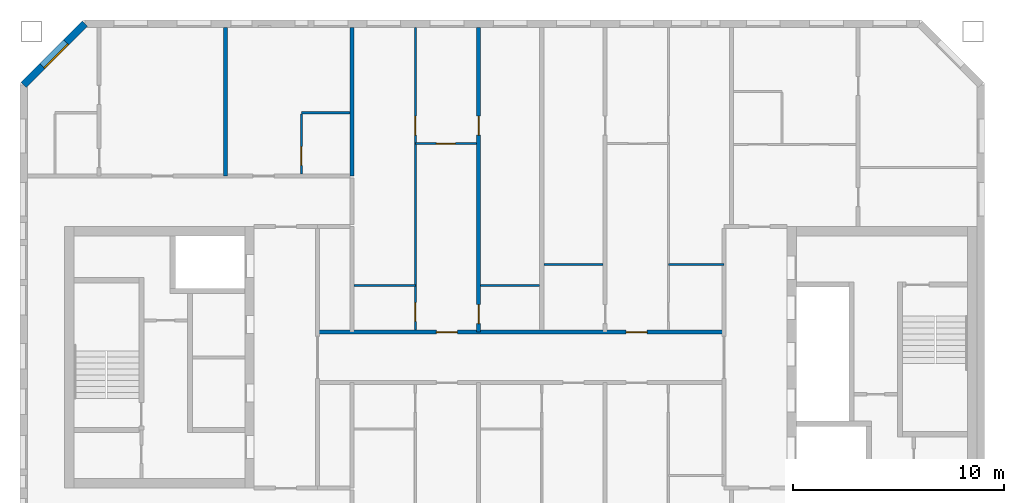
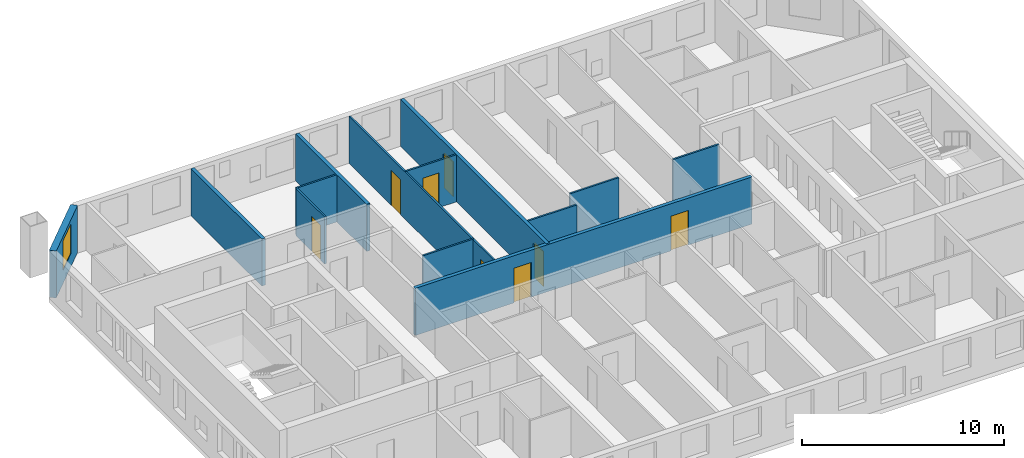
# One storey, part 5 of 16: 13 walls, 8 doors, 1 window, 9 openings.
"""IFC4 building model written with IfcOpenShell, lengths in metres."""

from ifc_helpers import new_model, si_unit, direction, frame, frame_2d, origin, place, context, subcontext, project, spatial, rectangle, extrude, material, layer, layer_set, type_object, element, fill, save


model = new_model("IFC4")

# Units and contexts
model_context = context("Model", 3, precision=1e-05, world=origin(), true_north=direction((0.0, 1.0)))
body_context = subcontext(model_context, "Body", "Model", "MODEL_VIEW")
ifc_project = project(units=[si_unit("LENGTHUNIT", "METRE"), si_unit("AREAUNIT", "SQUARE_METRE"), si_unit("VOLUMEUNIT", "CUBIC_METRE"), si_unit("PLANEANGLEUNIT", "RADIAN"), si_unit("MASSUNIT", "GRAM", prefix="KILO")], contexts=[model_context])

# Site, building, storey
site_placement = place(None, origin())
site = spatial("IfcSite", under=ifc_project, at=site_placement, CompositionType="ELEMENT")
building_placement = place(site_placement, origin())
building = spatial("IfcBuilding", under=site, at=building_placement, Name="Tuart Gate Housing", CompositionType="ELEMENT")
storey_placement = place(building_placement, frame((0.0, 0.0, 182.0)))
storey = spatial("IfcBuildingStorey", under=building, at=storey_placement, Name="L51", CompositionType="ELEMENT", Elevation=182.0)

# Wall, opening, window
ifc_material_1 = material(Name="Brick", Category="masonry")
ifc_layer_1 = layer(ifc_material_1, 0.360107421875)
ifc_layer_set_1 = layer_set([ifc_layer_1], Name="Brick pier and spandrel wall 360")
wall_type_1 = type_object("IfcWallType", Name="Brick pier and spandrel wall 360", PredefinedType="STANDARD", material=ifc_layer_set_1)
wall_1_placement = place(storey_placement, frame((33.32470703125, 85.820068359375, 0.0), z_axis=(0.0, 0.0, 1.0), x_axis=(-0.707106781187, -0.707106781187, 0.0)))
wall_1 = element("IfcWall", 1, at=wall_1_placement, inside=storey, type_object=wall_type_1, Name="External wall A-NW L51", PredefinedType="STANDARD", context=body_context, shape_type="SweptSolid", body=[
    extrude(rectangle(XDim=4.09375, YDim=0.360107421875, at=frame_2d((2.046875, 0.0))), origin(), (0.0, 0.0, 1.0), 2.85009765625),
])
opening_1_placement = place(wall_1_placement, frame((1.2470703125, 0.0, 0.800048828125)))
opening_1 = element("IfcOpeningElement", 2, at=opening_1_placement, cuts=wall_1, Name="Opening W1", PredefinedType="OPENING", context=body_context, shape_type="SweptSolid", body=[
    extrude(rectangle(XDim=1.60009765625, YDim=1.800048828125, at=frame_2d((0.800048828125, 0.89990234375))), frame((0.0, 0.18994140625, 0.0), z_axis=(0.0, -1.0, 0.0), x_axis=(1.0, 0.0, 0.0)), (0.0, 0.0, 1.0), 0.380126953125),
])
ifc_material_2 = material(Name="Aluminium frame with clear glass", Category="aluminium")
window_type = type_object("IfcWindowType", Name="Punched window 1600 x 1800", PartitioningType="SINGLE_PANEL", PredefinedType="WINDOW", material=ifc_material_2)
window_placement = place(opening_1_placement, origin())
window = element("IfcWindow", 3, at=window_placement, inside=storey, type_object=window_type, Name="Window W1", OverallHeight=1.800048828125, OverallWidth=1.60009765625, PartitioningType="SINGLE_PANEL", PredefinedType="WINDOW", context=body_context, shape_type="SweptSolid", body=[
    extrude(rectangle(XDim=1.60009765625, YDim=1.800048828125, at=frame_2d((0.800048828125, 0.89990234375))), frame((0.0, 0.150146484375, 0.0), z_axis=(0.0, -1.0, 0.0), x_axis=(1.0, 0.0, 0.0)), (0.0, 0.0, 1.0), 0.06005859375),
])
fill(opening_1, window)

# Wall, openings, doors
ifc_material_3 = material(Name="Concrete masonry 15 MPa", Category="masonry")
ifc_layer_2 = layer(ifc_material_3, 0.199951171875)
ifc_layer_set_2 = layer_set([ifc_layer_2], Name="Corridor wall masonry 200")
wall_type_2 = type_object("IfcWallType", Name="Corridor wall masonry 200", PredefinedType="PARTITIONING", material=ifc_layer_set_2)
wall_2_placement = place(storey_placement, frame((44.360107421875, 71.199951171875, 0.0), z_axis=(0.0, 0.0, 1.0), x_axis=(1.0, 0.0, 0.0)))
wall_2 = element("IfcWall", 4, at=wall_2_placement, inside=storey, type_object=wall_type_2, Name="Corridor wall masonry 200", PredefinedType="PARTITIONING", context=body_context, shape_type="SweptSolid", body=[
    extrude(rectangle(XDim=19.27978515625, YDim=0.199951171875, at=frame_2d((9.639892578125, 0.0))), origin(), (0.0, 0.0, 1.0), 2.85009765625),
])
opening_2_placement = place(wall_2_placement, frame((14.639892578125, 0.0, 0.0)))
opening_2 = element("IfcOpeningElement", 5, at=opening_2_placement, cuts=wall_2, Name="Opening D1756", PredefinedType="OPENING", context=body_context, shape_type="SweptSolid", body=[
    extrude(rectangle(XDim=1.0, YDim=2.10009765625, at=frame_2d((0.5, 1.050048828125))), frame((0.0, 0.10986328125, 0.0), z_axis=(0.0, -1.0, 0.0), x_axis=(1.0, 0.0, 0.0)), (0.0, 0.0, 1.0), 0.219970703125),
])
opening_3_placement = place(wall_2_placement, frame((5.639892578125, 0.0, 0.0)))
opening_3 = element("IfcOpeningElement", 6, at=opening_3_placement, cuts=wall_2, Name="Opening D1757", PredefinedType="OPENING", context=body_context, shape_type="SweptSolid", body=[
    extrude(rectangle(XDim=1.0, YDim=2.10009765625, at=frame_2d((0.5, 1.050048828125))), frame((0.0, 0.10986328125, 0.0), z_axis=(0.0, -1.0, 0.0), x_axis=(1.0, 0.0, 0.0)), (0.0, 0.0, 1.0), 0.219970703125),
])
ifc_material_4 = material(Name="Timber door leaf in steel frame", Category="steel")
door_type_1 = type_object("IfcDoorType", Name="Flat entrance door 1000", OperationType="SINGLE_SWING_LEFT", PredefinedType="DOOR", material=ifc_material_4)
door_1_placement = place(opening_2_placement, origin())
door_1 = element("IfcDoor", 7, at=door_1_placement, inside=storey, type_object=door_type_1, Name="Flat entrance door", OperationType="SINGLE_SWING_LEFT", OverallHeight=2.10009765625, OverallWidth=1.0, PredefinedType="DOOR", context=body_context, shape_type="SweptSolid", body=[
    extrude(rectangle(XDim=1.0, YDim=2.10009765625, at=frame_2d((0.5, 1.050048828125))), frame((0.0, 0.02490234375, 0.0), z_axis=(0.0, -1.0, 0.0), x_axis=(1.0, 0.0, 0.0)), (0.0, 0.0, 1.0), 0.050048828125),
])
fill(opening_2, door_1)
door_2_placement = place(opening_3_placement, origin())
door_2 = element("IfcDoor", 8, at=door_2_placement, inside=storey, type_object=door_type_1, Name="Flat entrance door", OperationType="SINGLE_SWING_LEFT", OverallHeight=2.10009765625, OverallWidth=1.0, PredefinedType="DOOR", context=body_context, shape_type="SweptSolid", body=[
    extrude(rectangle(XDim=1.0, YDim=2.10009765625, at=frame_2d((0.5, 1.050048828125))), frame((0.0, 0.02490234375, 0.0), z_axis=(0.0, -1.0, 0.0), x_axis=(1.0, 0.0, 0.0)), (0.0, 0.0, 1.0), 0.050048828125),
])
fill(opening_3, door_2)

# Walls
ifc_material_5 = material(Name="Gypsum board on steel studs", Category="steel")
ifc_layer_3 = layer(ifc_material_5, 0.10009765625)
ifc_layer_set_3 = layer_set([ifc_layer_3], Name="Partition 100")
wall_type_3 = type_object("IfcWallType", Name="Partition 100", PredefinedType="PARTITIONING", material=ifc_layer_set_3)
wall_3_placement = place(storey_placement, frame((46.10009765625, 73.39990234375, 0.0), z_axis=(0.0, 0.0, 1.0), x_axis=(1.0, 0.0, 0.0)))
element("IfcWall", 9, at=wall_3_placement, inside=storey, type_object=wall_type_3, Name="Partition 100", PredefinedType="PARTITIONING", context=body_context, shape_type="SweptSolid", body=[
    extrude(rectangle(XDim=2.89990234375, YDim=0.10009765625, at=frame_2d((1.449951171875, 0.0))), origin(), (0.0, 0.0, 1.0), 2.85009765625),
])
for number, where, z_axis, x_axis, name in (
    (10, (52.10009765625, 73.39990234375, 0.0), (0.0, 0.0, 1.0), (1.0, 0.0, 0.0), "Partition 100"),
    (11, (55.10009765625, 74.39990234375, 0.0), (0.0, 0.0, 1.0), (1.0, 0.0, 0.0), "Partition 100"),
):
    element("IfcWall", number, at=place(storey_placement, frame(where, z_axis=z_axis, x_axis=x_axis)), inside=storey, type_object=wall_type_3, Name=name, PredefinedType="PARTITIONING", context=body_context, shape_type="SweptSolid", body=[
        extrude(rectangle(XDim=2.7998046875, YDim=0.10009765625, at=frame_2d((1.39990234375, 0.0))), origin(), (0.0, 0.0, 1.0), 2.85009765625),
    ])
wall_4_placement = place(storey_placement, frame((61.0, 74.39990234375, 0.0), z_axis=(0.0, 0.0, 1.0), x_axis=(1.0, 0.0, 0.0)))
element("IfcWall", 12, at=wall_4_placement, inside=storey, type_object=wall_type_3, Name="Partition 100", PredefinedType="PARTITIONING", context=body_context, shape_type="SweptSolid", body=[
    extrude(rectangle(XDim=2.639892578125, YDim=0.10009765625, at=frame_2d((1.31982421875, 0.0))), origin(), (0.0, 0.0, 1.0), 2.85009765625),
])

# Wall, opening, door
wall_5_placement = place(storey_placement, frame((49.0, 80.139892578125, 0.0), z_axis=(0.0, 0.0, 1.0), x_axis=(1.0, 0.0, 0.0)))
wall_5 = element("IfcWall", 13, at=wall_5_placement, inside=storey, type_object=wall_type_3, Name="Partition 100", PredefinedType="PARTITIONING", context=body_context, shape_type="SweptSolid", body=[
    extrude(rectangle(XDim=2.89990234375, YDim=0.10009765625, at=frame_2d((1.449951171875, 0.0))), origin(), (0.0, 0.0, 1.0), 2.85009765625),
])
opening_4_placement = place(wall_5_placement, frame((1.0, 0.0, 0.0)))
opening_4 = element("IfcOpeningElement", 14, at=opening_4_placement, cuts=wall_5, Name="Opening D1737", PredefinedType="OPENING", context=body_context, shape_type="SweptSolid", body=[
    extrude(rectangle(XDim=0.89990234375, YDim=2.10009765625, at=frame_2d((0.449951171875, 1.050048828125))), frame((0.0, 0.06005859375, 0.0), z_axis=(0.0, -1.0, 0.0), x_axis=(1.0, 0.0, 0.0)), (0.0, 0.0, 1.0), 0.1201171875),
])
ifc_material_6 = material(Name="Timber door leaf in steel frame", Category="steel")
door_type_2 = type_object("IfcDoorType", Name="Internal door 900 RH", OperationType="SINGLE_SWING_RIGHT", PredefinedType="DOOR", material=ifc_material_6)
door_3_placement = place(opening_4_placement, frame((0.89990234375, 0.0, 0.0), z_axis=(0.0, 0.0, 1.0), x_axis=(-1.0, 0.0, 0.0)))
door_3 = element("IfcDoor", 15, at=door_3_placement, inside=storey, type_object=door_type_2, Name="Internal door", OperationType="SINGLE_SWING_RIGHT", OverallHeight=2.10009765625, OverallWidth=0.89990234375, PredefinedType="DOOR", context=body_context, shape_type="SweptSolid", body=[
    extrude(rectangle(XDim=0.89990234375, YDim=2.10009765625, at=frame_2d((0.449951171875, 1.050048828125))), frame((0.0, 0.025146484375, 0.0), z_axis=(0.0, -1.0, 0.0), x_axis=(1.0, 0.0, 0.0)), (0.0, 0.0, 1.0), 0.050048828125),
])
fill(opening_4, door_3)

# Wall
wall_6_placement = place(storey_placement, frame((43.60009765625, 81.60009765625, 0.0), z_axis=(0.0, 0.0, 1.0), x_axis=(1.0, 0.0, 0.0)))
element("IfcWall", 16, at=wall_6_placement, inside=storey, type_object=wall_type_3, Name="Partition 100", PredefinedType="PARTITIONING", context=body_context, shape_type="SweptSolid", body=[
    extrude(rectangle(XDim=2.2998046875, YDim=0.10009765625, at=frame_2d((1.14990234375, 0.0))), origin(), (0.0, 0.0, 1.0), 2.85009765625),
])

# Wall, opening, door
wall_7_placement = place(storey_placement, frame((43.60009765625, 78.699951171875, 0.0), z_axis=(0.0, 0.0, 1.0), x_axis=(0.0, 1.0, 0.0)))
wall_7 = element("IfcWall", 17, at=wall_7_placement, inside=storey, type_object=wall_type_3, Name="Partition 100", PredefinedType="PARTITIONING", context=body_context, shape_type="SweptSolid", body=[
    extrude(rectangle(XDim=2.85009765625, YDim=0.10009765625, at=frame_2d((1.425048828125, 0.0))), origin(), (0.0, 0.0, 1.0), 2.85009765625),
])
opening_5_placement = place(wall_7_placement, frame((0.39990234375, 0.0, 0.0)))
opening_5 = element("IfcOpeningElement", 18, at=opening_5_placement, cuts=wall_7, Name="Opening D1739", PredefinedType="OPENING", context=body_context, shape_type="SweptSolid", body=[
    extrude(rectangle(XDim=0.89990234375, YDim=2.10009765625, at=frame_2d((0.449951171875, 1.050048828125))), frame((0.0, 0.06005859375, 0.0), z_axis=(0.0, -1.0, 0.0), x_axis=(1.0, 0.0, 0.0)), (0.0, 0.0, 1.0), 0.1201171875),
])
ifc_material_7 = material(Name="Timber door leaf in steel frame", Category="steel")
door_type_3 = type_object("IfcDoorType", Name="Bathroom door 900 RH", OperationType="SINGLE_SWING_RIGHT", PredefinedType="DOOR", material=ifc_material_7)
door_4_placement = place(opening_5_placement, frame((0.89990234375, 0.0, 0.0), z_axis=(0.0, 0.0, 1.0), x_axis=(-1.0, 0.0, 0.0)))
door_4 = element("IfcDoor", 19, at=door_4_placement, inside=storey, type_object=door_type_3, Name="Bathroom door", OperationType="SINGLE_SWING_RIGHT", OverallHeight=2.10009765625, OverallWidth=0.89990234375, PredefinedType="DOOR", context=body_context, shape_type="SweptSolid", body=[
    extrude(rectangle(XDim=0.89990234375, YDim=2.10009765625, at=frame_2d((0.449951171875, 1.050048828125))), frame((0.0, 0.025146484375, 0.0), z_axis=(0.0, -1.0, 0.0), x_axis=(1.0, 0.0, 0.0)), (0.0, 0.0, 1.0), 0.050048828125),
])
fill(opening_5, door_4)

# Wall, openings, doors
wall_8_placement = place(storey_placement, frame((49.0, 71.300048828125, 0.0), z_axis=(0.0, 0.0, 1.0), x_axis=(0.0, 1.0, 0.0)))
wall_8 = element("IfcWall", 20, at=wall_8_placement, inside=storey, type_object=wall_type_3, Name="Partition 100", PredefinedType="PARTITIONING", context=body_context, shape_type="SweptSolid", body=[
    extrude(rectangle(XDim=14.33984375, YDim=0.10009765625, at=frame_2d((7.169921875, 0.0))), origin(), (0.0, 0.0, 1.0), 2.85009765625),
])
opening_6_placement = place(wall_8_placement, frame((9.239990234375, 0.0, 0.0)))
opening_6 = element("IfcOpeningElement", 21, at=opening_6_placement, cuts=wall_8, Name="Opening D1745", PredefinedType="OPENING", context=body_context, shape_type="SweptSolid", body=[
    extrude(rectangle(XDim=0.89990234375, YDim=2.10009765625, at=frame_2d((0.449951171875, 1.050048828125))), frame((0.0, 0.06005859375, 0.0), z_axis=(0.0, -1.0, 0.0), x_axis=(1.0, 0.0, 0.0)), (0.0, 0.0, 1.0), 0.1201171875),
])
opening_7_placement = place(wall_8_placement, frame((0.39990234375, 0.0, 0.0)))
opening_7 = element("IfcOpeningElement", 22, at=opening_7_placement, cuts=wall_8, Name="Opening D1744", PredefinedType="OPENING", context=body_context, shape_type="SweptSolid", body=[
    extrude(rectangle(XDim=0.89990234375, YDim=2.10009765625, at=frame_2d((0.449951171875, 1.050048828125))), frame((0.0, 0.06005859375, 0.0), z_axis=(0.0, -1.0, 0.0), x_axis=(1.0, 0.0, 0.0)), (0.0, 0.0, 1.0), 0.1201171875),
])
ifc_material_8 = material(Name="Timber door leaf in steel frame", Category="steel")
door_type_4 = type_object("IfcDoorType", Name="Bathroom door 900", OperationType="SINGLE_SWING_LEFT", PredefinedType="DOOR", material=ifc_material_8)
door_5_placement = place(opening_7_placement, origin())
door_5 = element("IfcDoor", 23, at=door_5_placement, inside=storey, type_object=door_type_4, Name="Bathroom door", OperationType="SINGLE_SWING_LEFT", OverallHeight=2.10009765625, OverallWidth=0.89990234375, PredefinedType="DOOR", context=body_context, shape_type="SweptSolid", body=[
    extrude(rectangle(XDim=0.89990234375, YDim=2.10009765625, at=frame_2d((0.449951171875, 1.050048828125))), frame((0.0, 0.02490234375, 0.0), z_axis=(0.0, -1.0, 0.0), x_axis=(1.0, 0.0, 0.0)), (0.0, 0.0, 1.0), 0.050048828125),
])
fill(opening_7, door_5)
door_6_placement = place(opening_6_placement, origin())
door_6 = element("IfcDoor", 24, at=door_6_placement, inside=storey, type_object=door_type_2, Name="Internal door", OperationType="SINGLE_SWING_RIGHT", OverallHeight=2.10009765625, OverallWidth=0.89990234375, PredefinedType="DOOR", context=body_context, shape_type="SweptSolid", body=[
    extrude(rectangle(XDim=0.89990234375, YDim=2.10009765625, at=frame_2d((0.449951171875, 1.050048828125))), frame((0.0, 0.02490234375, 0.0), z_axis=(0.0, -1.0, 0.0), x_axis=(1.0, 0.0, 0.0)), (0.0, 0.0, 1.0), 0.050048828125),
])
fill(opening_6, door_6)

# Walls
ifc_material_9 = material(Name="Concrete C40", Category="concrete")
ifc_layer_4 = layer(ifc_material_9, 0.199951171875)
ifc_layer_set_4 = layer_set([ifc_layer_4], Name="Party wall concrete C40 200")
wall_type_4 = type_object("IfcWallType", Name="Party wall concrete C40 200", PredefinedType="SOLIDWALL", material=ifc_layer_set_4)
for number, where, z_axis, x_axis, name in (
    (25, (40.0, 78.60009765625, 0.0), (0.0, 0.0, 1.0), (0.0, 1.0, 0.0), "Party wall concrete C40 200"),
    (26, (46.0, 78.60009765625, 0.0), (0.0, 0.0, 1.0), (0.0, 1.0, 0.0), "Party wall concrete C40 200"),
):
    element("IfcWall", number, at=place(storey_placement, frame(where, z_axis=z_axis, x_axis=x_axis)), inside=storey, type_object=wall_type_4, Name=name, PredefinedType="SOLIDWALL", context=body_context, shape_type="SweptSolid", body=[
        extrude(rectangle(XDim=7.039794921875, YDim=0.199951171875, at=frame_2d((3.52001953125, 0.0))), origin(), (0.0, 0.0, 1.0), 2.85009765625),
    ])

# Wall, openings, doors
wall_9_placement = place(storey_placement, frame((52.0, 71.199951171875, 0.0), z_axis=(0.0, 0.0, 1.0), x_axis=(0.0, 1.0, 0.0)))
wall_9 = element("IfcWall", 27, at=wall_9_placement, inside=storey, type_object=wall_type_4, Name="Party wall concrete C40 200", PredefinedType="SOLIDWALL", context=body_context, shape_type="SweptSolid", body=[
    extrude(rectangle(XDim=14.43994140625, YDim=0.199951171875, at=frame_2d((7.219970703125, 0.0))), origin(), (0.0, 0.0, 1.0), 2.85009765625),
])
opening_8_placement = place(wall_9_placement, frame((9.340087890625, 0.0, 0.0)))
opening_8 = element("IfcOpeningElement", 28, at=opening_8_placement, cuts=wall_9, Name="Opening D1749", PredefinedType="OPENING", context=body_context, shape_type="SweptSolid", body=[
    extrude(rectangle(XDim=0.89990234375, YDim=2.10009765625, at=frame_2d((0.449951171875, 1.050048828125))), frame((0.0, 0.10986328125, 0.0), z_axis=(0.0, -1.0, 0.0), x_axis=(1.0, 0.0, 0.0)), (0.0, 0.0, 1.0), 0.219970703125),
])
opening_9_placement = place(wall_9_placement, frame((0.39990234375, 0.0, 0.0)))
opening_9 = element("IfcOpeningElement", 29, at=opening_9_placement, cuts=wall_9, Name="Opening D1748", PredefinedType="OPENING", context=body_context, shape_type="SweptSolid", body=[
    extrude(rectangle(XDim=0.89990234375, YDim=2.10009765625, at=frame_2d((0.449951171875, 1.050048828125))), frame((0.0, 0.10986328125, 0.0), z_axis=(0.0, -1.0, 0.0), x_axis=(1.0, 0.0, 0.0)), (0.0, 0.0, 1.0), 0.219970703125),
])
door_7_placement = place(opening_9_placement, frame((0.89990234375, 0.0, 0.0), z_axis=(0.0, 0.0, 1.0), x_axis=(-1.0, 0.0, 0.0)))
door_7 = element("IfcDoor", 30, at=door_7_placement, inside=storey, type_object=door_type_3, Name="Bathroom door", OperationType="SINGLE_SWING_RIGHT", OverallHeight=2.10009765625, OverallWidth=0.89990234375, PredefinedType="DOOR", context=body_context, shape_type="SweptSolid", body=[
    extrude(rectangle(XDim=0.89990234375, YDim=2.10009765625, at=frame_2d((0.449951171875, 1.050048828125))), frame((0.0, 0.025146484375, 0.0), z_axis=(0.0, -1.0, 0.0), x_axis=(1.0, 0.0, 0.0)), (0.0, 0.0, 1.0), 0.050048828125),
])
fill(opening_9, door_7)
ifc_material_10 = material(Name="Timber door leaf in steel frame", Category="steel")
door_type_5 = type_object("IfcDoorType", Name="Internal door 900", OperationType="SINGLE_SWING_LEFT", PredefinedType="DOOR", material=ifc_material_10)
door_8_placement = place(opening_8_placement, frame((0.89990234375, 0.0, 0.0), z_axis=(0.0, 0.0, 1.0), x_axis=(-1.0, 0.0, 0.0)))
door_8 = element("IfcDoor", 31, at=door_8_placement, inside=storey, type_object=door_type_5, Name="Internal door", OperationType="SINGLE_SWING_LEFT", OverallHeight=2.10009765625, OverallWidth=0.89990234375, PredefinedType="DOOR", context=body_context, shape_type="SweptSolid", body=[
    extrude(rectangle(XDim=0.89990234375, YDim=2.10009765625, at=frame_2d((0.449951171875, 1.050048828125))), frame((0.0, 0.025146484375, 0.0), z_axis=(0.0, -1.0, 0.0), x_axis=(1.0, 0.0, 0.0)), (0.0, 0.0, 1.0), 0.050048828125),
])
fill(opening_8, door_8)

save(model, "model.ifc")
